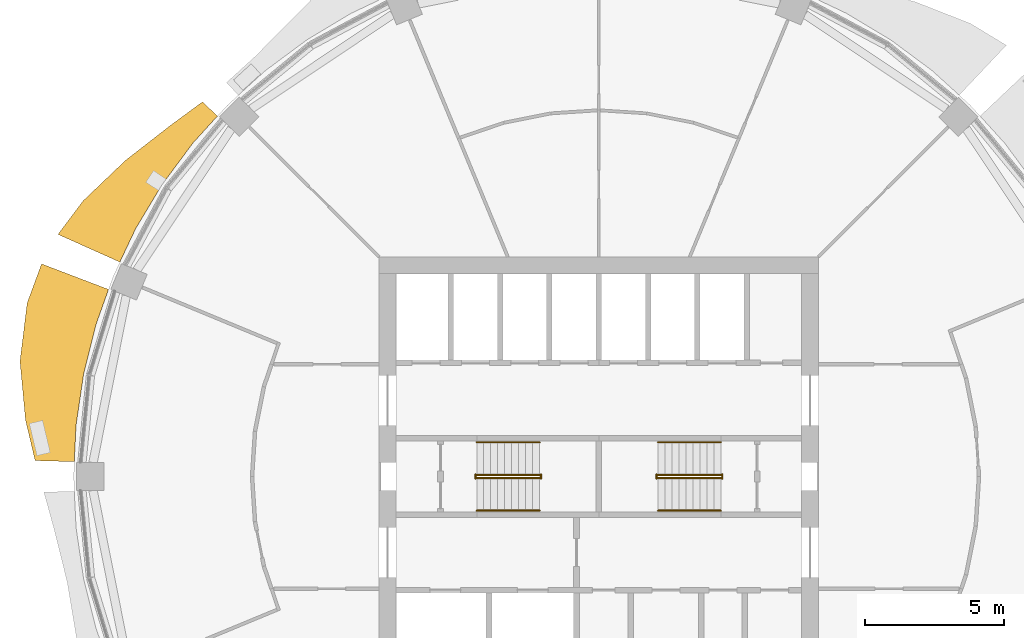
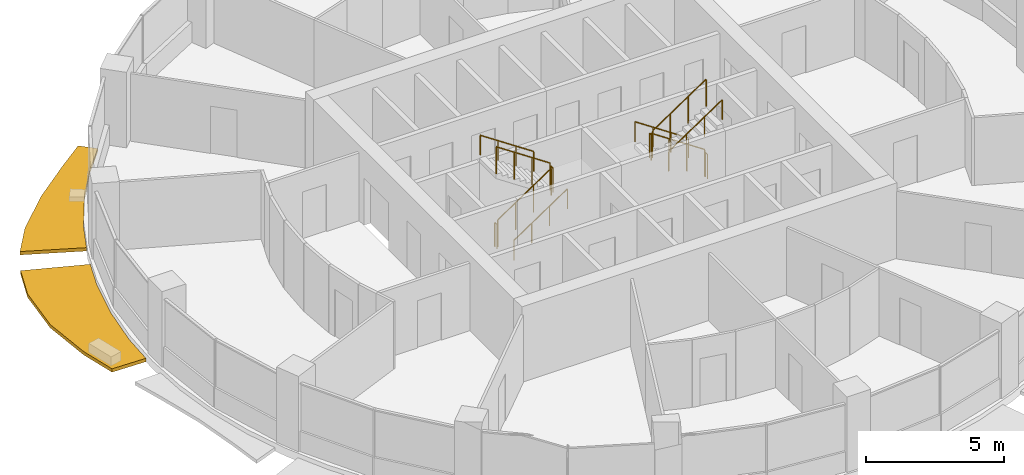
# One storey, part 13 of 15: 12 railings, 2 shading devices.
"""IFC4 building model written with IfcOpenShell, lengths in metres."""

from ifc_helpers import new_model, si_unit, direction, frame, origin, origin_2d, place, context, subcontext, project, spatial, polyline, circle, outline, extrude, material, type_object, element, save


model = new_model("IFC4")

# Units and contexts
model_context = context("Model", 3, precision=1e-05, world=origin(), true_north=direction((0.0, 1.0)))
body_context = subcontext(model_context, "Body", "Model", "MODEL_VIEW")
ifc_project = project(units=[si_unit("LENGTHUNIT", "METRE"), si_unit("AREAUNIT", "SQUARE_METRE"), si_unit("VOLUMEUNIT", "CUBIC_METRE"), si_unit("PLANEANGLEUNIT", "RADIAN"), si_unit("MASSUNIT", "GRAM", prefix="KILO")], contexts=[model_context])

# Site, building, storey
site_placement = place(None, origin())
site = spatial("IfcSite", under=ifc_project, at=site_placement, CompositionType="ELEMENT")
building_placement = place(site_placement, origin())
building = spatial("IfcBuilding", under=site, at=building_placement, Name="Polderwave Tower", CompositionType="ELEMENT")
storey_placement = place(building_placement, frame((0.0, 0.0, 157.800048828125)))
storey = spatial("IfcBuildingStorey", under=building, at=storey_placement, Name="L42", CompositionType="ELEMENT", Elevation=157.800048828125)

# Railings
ifc_material_1 = material(Name="Stainless steel", Category="steel")
railing_type_1 = type_object("IfcRailingType", Name="Stair guard 1100", PredefinedType="GUARDRAIL", material=ifc_material_1)
railing_1_placement = place(storey_placement, frame((-4.3740234375, -0.051025390625, 0.04736328125)))
element("IfcRailing", 1, at=railing_1_placement, inside=storey, type_object=railing_type_1, Name="L42 ST-A stair guard 1", PredefinedType="GUARDRAIL", context=body_context, shape_type="SweptSolid", body=[
    extrude(circle(Radius=0.02392578125, at=origin_2d()), frame((0.0, 0.0, 1.1962890625), z_axis=(0.830758306289, 0.0, 0.556633305266), x_axis=(0.0, 1.0, 0.0)), (0.0, 0.0, 1.0), 2.708251953125),
    extrude(circle(Radius=0.02392578125, at=origin_2d()), origin(), (0.0, 0.0, 1.0), 1.172119140625),
    extrude(circle(Radius=0.02392578125, at=origin_2d()), frame((0.75, 0.0, 0.50244140625)), (0.0, 0.0, 1.0), 1.172119140625),
    extrude(circle(Radius=0.02392578125, at=origin_2d()), frame((1.5, 0.0, 1.005126953125)), (0.0, 0.0, 1.0), 1.172119140625),
    extrude(circle(Radius=0.02392578125, at=origin_2d()), frame((2.25, 0.0, 1.507568359375)), (0.0, 0.0, 1.0), 1.172119140625),
])
railing_2_placement = place(storey_placement, frame((-2.073974609375, -0.074951171875, 1.675048828125)))
element("IfcRailing", 2, at=railing_2_placement, inside=storey, type_object=railing_type_1, Name="L42 ST-A stair guard 2", PredefinedType="GUARDRAIL", context=body_context, shape_type="SweptSolid", body=[
    extrude(circle(Radius=0.02392578125, at=origin_2d()), frame((0.0, 0.0, 1.076171875), z_axis=(0.0, 1.0, 0.0), x_axis=(-1.0, 0.0, 0.0)), (0.0, 0.0, 1.0), 0.14990234375),
    extrude(circle(Radius=0.02099609375, at=origin_2d()), origin(), (0.0, 0.0, 1.0), 1.052001953125),
    extrude(circle(Radius=0.02099609375, at=origin_2d()), frame((0.0, 0.14990234375, 0.0)), (0.0, 0.0, 1.0), 1.052001953125),
])
railing_3_placement = place(storey_placement, frame((-2.1240234375, 0.051025390625, 1.722412109375)))
element("IfcRailing", 3, at=railing_3_placement, inside=storey, type_object=railing_type_1, Name="L42 ST-A stair guard 3", PredefinedType="GUARDRAIL", context=body_context, shape_type="SweptSolid", body=[
    extrude(circle(Radius=0.02392578125, at=origin_2d()), frame((0.0, 0.0, 1.1962890625), z_axis=(-0.830799990696, 0.0, 0.556571087517), x_axis=(0.0, -1.0, 0.0)), (0.0, 0.0, 1.0), 2.708251953125),
    extrude(circle(Radius=0.02392578125, at=origin_2d()), origin(), (0.0, 0.0, 1.0), 1.172119140625),
    extrude(circle(Radius=0.02392578125, at=origin_2d()), frame((-0.75, 0.0, 0.50244140625)), (0.0, 0.0, 1.0), 1.172119140625),
    extrude(circle(Radius=0.02392578125, at=origin_2d()), frame((-1.5, 0.0, 1.0048828125)), (0.0, 0.0, 1.0), 1.172119140625),
    extrude(circle(Radius=0.02392578125, at=origin_2d()), frame((-2.25, 0.0, 1.50732421875)), (0.0, 0.0, 1.0), 1.172119140625),
])
railing_4_placement = place(storey_placement, frame((-4.424072265625, -0.074951171875, 0.0)))
element("IfcRailing", 4, at=railing_4_placement, inside=storey, type_object=railing_type_1, Name="L42 ST-A stair guard 4", PredefinedType="GUARDRAIL", context=body_context, shape_type="SweptSolid", body=[
    extrude(circle(Radius=0.02392578125, at=origin_2d()), frame((0.0, 0.0, 1.076171875), z_axis=(0.0, 1.0, 0.0), x_axis=(-1.0, 0.0, 0.0)), (0.0, 0.0, 1.0), 0.14990234375),
    extrude(circle(Radius=0.02099609375, at=origin_2d()), origin(), (0.0, 0.0, 1.0), 1.052001953125),
    extrude(circle(Radius=0.02099609375, at=origin_2d()), frame((0.0, 0.14990234375, 0.0)), (0.0, 0.0, 1.0), 1.052001953125),
])
railing_5_placement = place(storey_placement, frame((4.3740234375, 0.051025390625, 0.04736328125)))
element("IfcRailing", 5, at=railing_5_placement, inside=storey, type_object=railing_type_1, Name="L42 ST-B stair guard 1", PredefinedType="GUARDRAIL", context=body_context, shape_type="SweptSolid", body=[
    extrude(circle(Radius=0.02392578125, at=origin_2d()), frame((0.0, 0.0, 1.1962890625), z_axis=(-0.830758306289, 0.0, 0.556633305266), x_axis=(0.0, -1.0, 0.0)), (0.0, 0.0, 1.0), 2.708251953125),
    extrude(circle(Radius=0.02392578125, at=origin_2d()), origin(), (0.0, 0.0, 1.0), 1.172119140625),
    extrude(circle(Radius=0.02392578125, at=origin_2d()), frame((-0.75, 0.0, 0.50244140625)), (0.0, 0.0, 1.0), 1.172119140625),
    extrude(circle(Radius=0.02392578125, at=origin_2d()), frame((-1.5, 0.0, 1.005126953125)), (0.0, 0.0, 1.0), 1.172119140625),
    extrude(circle(Radius=0.02392578125, at=origin_2d()), frame((-2.25, 0.0, 1.507568359375)), (0.0, 0.0, 1.0), 1.172119140625),
])
railing_6_placement = place(storey_placement, frame((2.073974609375, 0.074951171875, 1.675048828125)))
element("IfcRailing", 6, at=railing_6_placement, inside=storey, type_object=railing_type_1, Name="L42 ST-B stair guard 2", PredefinedType="GUARDRAIL", context=body_context, shape_type="SweptSolid", body=[
    extrude(circle(Radius=0.02392578125, at=origin_2d()), frame((0.0, 0.0, 1.076171875), z_axis=(0.0, -1.0, 0.0), x_axis=(1.0, 0.0, 0.0)), (0.0, 0.0, 1.0), 0.14990234375),
    extrude(circle(Radius=0.02099609375, at=origin_2d()), origin(), (0.0, 0.0, 1.0), 1.052001953125),
    extrude(circle(Radius=0.02099609375, at=origin_2d()), frame((0.0, -0.14990234375, 0.0)), (0.0, 0.0, 1.0), 1.052001953125),
])
railing_7_placement = place(storey_placement, frame((2.1240234375, -0.051025390625, 1.722412109375)))
element("IfcRailing", 7, at=railing_7_placement, inside=storey, type_object=railing_type_1, Name="L42 ST-B stair guard 3", PredefinedType="GUARDRAIL", context=body_context, shape_type="SweptSolid", body=[
    extrude(circle(Radius=0.02392578125, at=origin_2d()), frame((0.0, 0.0, 1.1962890625), z_axis=(0.830799990696, 0.0, 0.556571087517), x_axis=(0.0, 1.0, 0.0)), (0.0, 0.0, 1.0), 2.708251953125),
    extrude(circle(Radius=0.02392578125, at=origin_2d()), origin(), (0.0, 0.0, 1.0), 1.172119140625),
    extrude(circle(Radius=0.02392578125, at=origin_2d()), frame((0.75, 0.0, 0.50244140625)), (0.0, 0.0, 1.0), 1.172119140625),
    extrude(circle(Radius=0.02392578125, at=origin_2d()), frame((1.5, 0.0, 1.0048828125)), (0.0, 0.0, 1.0), 1.172119140625),
    extrude(circle(Radius=0.02392578125, at=origin_2d()), frame((2.25, 0.0, 1.50732421875)), (0.0, 0.0, 1.0), 1.172119140625),
])
railing_8_placement = place(storey_placement, frame((4.424072265625, 0.074951171875, 0.0)))
element("IfcRailing", 8, at=railing_8_placement, inside=storey, type_object=railing_type_1, Name="L42 ST-B stair guard 4", PredefinedType="GUARDRAIL", context=body_context, shape_type="SweptSolid", body=[
    extrude(circle(Radius=0.02392578125, at=origin_2d()), frame((0.0, 0.0, 1.076171875), z_axis=(0.0, -1.0, 0.0), x_axis=(1.0, 0.0, 0.0)), (0.0, 0.0, 1.0), 0.14990234375),
    extrude(circle(Radius=0.02099609375, at=origin_2d()), origin(), (0.0, 0.0, 1.0), 1.052001953125),
    extrude(circle(Radius=0.02099609375, at=origin_2d()), frame((0.0, -0.14990234375, 0.0)), (0.0, 0.0, 1.0), 1.052001953125),
])
railing_type_2 = type_object("IfcRailingType", Name="Stair handrail 900", PredefinedType="HANDRAIL", material=ifc_material_1)
railing_9_placement = place(storey_placement, frame((-4.3740234375, -1.22509765625, 0.16748046875)))
element("IfcRailing", 9, at=railing_9_placement, inside=storey, type_object=railing_type_2, Name="L42 ST-A stair handrail 1", PredefinedType="HANDRAIL", context=body_context, shape_type="SweptSolid", body=[
    extrude(circle(Radius=0.02392578125, at=origin_2d()), frame((0.0, 0.0, 0.8759765625), z_axis=(0.830758306289, 0.0, 0.556633305266), x_axis=(0.0, 1.0, 0.0)), (0.0, 0.0, 1.0), 2.708251953125),
    extrude(circle(Radius=0.02099609375, at=origin_2d()), origin(), (0.0, 0.0, 1.0), 0.851806640625),
    extrude(circle(Radius=0.02099609375, at=origin_2d()), frame((0.75, 0.0, 0.50244140625)), (0.0, 0.0, 1.0), 0.851806640625),
    extrude(circle(Radius=0.02099609375, at=origin_2d()), frame((1.5, 0.0, 1.005126953125)), (0.0, 0.0, 1.0), 0.851806640625),
    extrude(circle(Radius=0.02099609375, at=origin_2d()), frame((2.25, 0.0, 1.507568359375)), (0.0, 0.0, 1.0), 0.851806640625),
])
railing_10_placement = place(storey_placement, frame((-2.1240234375, 1.22509765625, 1.842529296875)))
element("IfcRailing", 10, at=railing_10_placement, inside=storey, type_object=railing_type_2, Name="L42 ST-A stair handrail 2", PredefinedType="HANDRAIL", context=body_context, shape_type="SweptSolid", body=[
    extrude(circle(Radius=0.02392578125, at=origin_2d()), frame((0.0, 0.0, 0.8759765625), z_axis=(-0.830799990696, 0.0, 0.556571087517), x_axis=(0.0, -1.0, 0.0)), (0.0, 0.0, 1.0), 2.708251953125),
    extrude(circle(Radius=0.02099609375, at=origin_2d()), origin(), (0.0, 0.0, 1.0), 0.851806640625),
    extrude(circle(Radius=0.02099609375, at=origin_2d()), frame((-0.75, 0.0, 0.50244140625)), (0.0, 0.0, 1.0), 0.851806640625),
    extrude(circle(Radius=0.02099609375, at=origin_2d()), frame((-1.5, 0.0, 1.0048828125)), (0.0, 0.0, 1.0), 0.851806640625),
    extrude(circle(Radius=0.02099609375, at=origin_2d()), frame((-2.25, 0.0, 1.50732421875)), (0.0, 0.0, 1.0), 0.851806640625),
])
railing_11_placement = place(storey_placement, frame((4.3740234375, 1.22509765625, 0.16748046875)))
element("IfcRailing", 11, at=railing_11_placement, inside=storey, type_object=railing_type_2, Name="L42 ST-B stair handrail 1", PredefinedType="HANDRAIL", context=body_context, shape_type="SweptSolid", body=[
    extrude(circle(Radius=0.02392578125, at=origin_2d()), frame((0.0, 0.0, 0.8759765625), z_axis=(-0.830758306289, 0.0, 0.556633305266), x_axis=(0.0, -1.0, 0.0)), (0.0, 0.0, 1.0), 2.708251953125),
    extrude(circle(Radius=0.02099609375, at=origin_2d()), origin(), (0.0, 0.0, 1.0), 0.851806640625),
    extrude(circle(Radius=0.02099609375, at=origin_2d()), frame((-0.75, 0.0, 0.50244140625)), (0.0, 0.0, 1.0), 0.851806640625),
    extrude(circle(Radius=0.02099609375, at=origin_2d()), frame((-1.5, 0.0, 1.005126953125)), (0.0, 0.0, 1.0), 0.851806640625),
    extrude(circle(Radius=0.02099609375, at=origin_2d()), frame((-2.25, 0.0, 1.507568359375)), (0.0, 0.0, 1.0), 0.851806640625),
])
railing_12_placement = place(storey_placement, frame((2.1240234375, -1.22509765625, 1.842529296875)))
element("IfcRailing", 12, at=railing_12_placement, inside=storey, type_object=railing_type_2, Name="L42 ST-B stair handrail 2", PredefinedType="HANDRAIL", context=body_context, shape_type="SweptSolid", body=[
    extrude(circle(Radius=0.02392578125, at=origin_2d()), frame((0.0, 0.0, 0.8759765625), z_axis=(0.830799990696, 0.0, 0.556571087517), x_axis=(0.0, 1.0, 0.0)), (0.0, 0.0, 1.0), 2.708251953125),
    extrude(circle(Radius=0.02099609375, at=origin_2d()), origin(), (0.0, 0.0, 1.0), 0.851806640625),
    extrude(circle(Radius=0.02099609375, at=origin_2d()), frame((0.75, 0.0, 0.50244140625)), (0.0, 0.0, 1.0), 0.851806640625),
    extrude(circle(Radius=0.02099609375, at=origin_2d()), frame((1.5, 0.0, 1.0048828125)), (0.0, 0.0, 1.0), 0.851806640625),
    extrude(circle(Radius=0.02099609375, at=origin_2d()), frame((2.25, 0.0, 1.50732421875)), (0.0, 0.0, 1.0), 0.851806640625),
])

# Shading devices
ifc_material_2 = material(Name="Terracotta", Category="masonry")
shading_device_type = type_object("IfcShadingDeviceType", Name="Terracotta sunshade band", PredefinedType="USERDEFINED", material=ifc_material_2)
shading_device_1_placement = place(storey_placement, frame((0.0, 0.0, -0.35009765625)))
element("IfcShadingDevice", 13, at=shading_device_1_placement, inside=storey, type_object=shading_device_type, Name="Sunshade band L42 7", ObjectType="SUNSHADE", PredefinedType="USERDEFINED", context=body_context, shape_type="SweptSolid", body=[
    extrude(outline(polyline([(-13.67138671875, 12.92138671875), (-14.555908203125, 11.945556640625), (-15.656494140625, 10.46142578125), (-16.606689453125, 8.87646484375), (-17.169677734375, 7.685791015625), (-19.388916015625, 8.679443359375), (-18.48779296875, 9.8818359375), (-16.964599609375, 11.335205078125), (-15.345947265625, 12.593994140625), (-14.208984375, 13.429443359375), (-13.67138671875, 12.92138671875)])), origin(), (0.0, 0.0, 1.0), 0.150146484375),
])
shading_device_2_placement = place(storey_placement, frame((0.0, 0.0, -0.35009765625)))
element("IfcShadingDevice", 14, at=shading_device_2_placement, inside=storey, type_object=shading_device_type, Name="Sunshade band L42 8", ObjectType="SUNSHADE", PredefinedType="USERDEFINED", context=body_context, shape_type="SweptSolid", body=[
    extrude(outline(polyline([(-17.575439453125, 6.7060546875), (-18.019287109375, 5.466064453125), (-18.46826171875, 3.673583984375), (-18.7392578125, 1.845703125), (-18.803955078125, 0.5302734375), (-20.2080078125, 0.56982421875), (-20.552001953125, 2.024169921875), (-20.74951171875, 4.127197265625), (-20.493408203125, 6.216552734375), (-19.9755859375, 7.621826171875), (-17.575439453125, 6.7060546875)])), origin(), (0.0, 0.0, 1.0), 0.150146484375),
])

save(model, "model.ifc")
